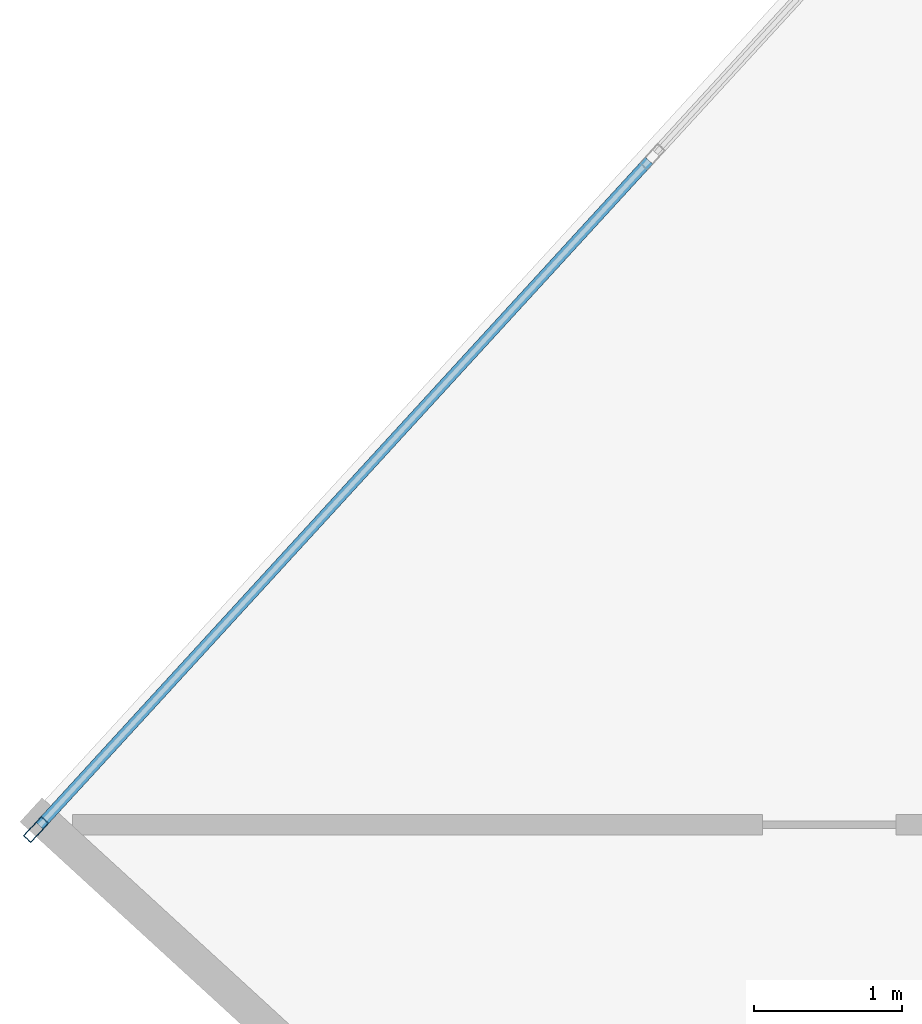
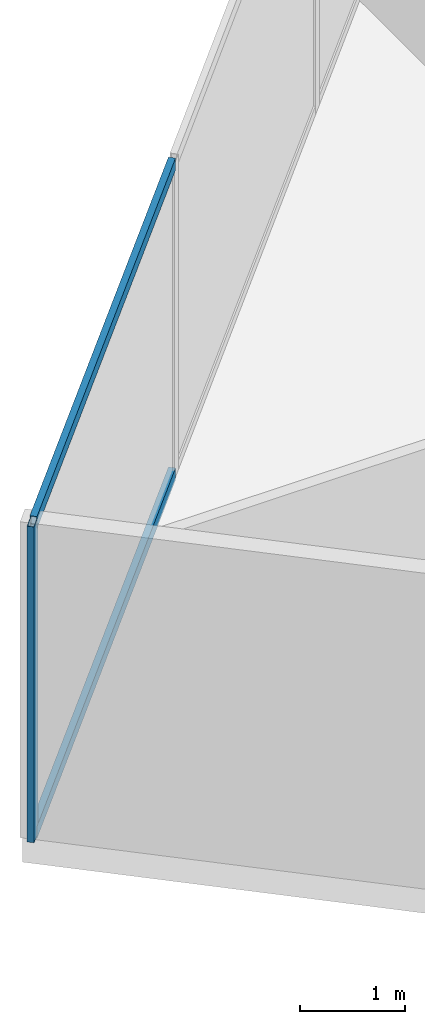
# One storey, part 8 of 26: 3 members, 1 element without a shape of its own.
"""IFC4 building model written with IfcOpenShell, lengths in metres."""

import ifcopenshell
import ifcopenshell.guid

model = None  # the IFC model being written
_history = None  # IfcOwnerHistory: only IFC2X3 demands one
_inside = {}  # id of a spatial element -> (the spatial element, [elements in it])
_under = {}  # id of a project, library or spatial element -> (it, [spatial elements below it])
_declared = {}  # id of a project -> (the project, [libraries it declares])
_typed = {}  # id of a type object -> (the type object, [elements of that type])
_made_of = {}  # id of a material, layer set ... -> (it, [elements and type objects made of it])


def new_model(schema):
    """Start an empty IFC model of exactly this schema.

    Asked for "IFC4X3", IfcOpenShell would pick the latest addendum, in which some entities
    have other attributes; the version numbers below select the first issue.
    IFC2X3 requires an IfcOwnerHistory on every rooted entity: one is made here for all.
    """
    global model, _history
    if schema == "IFC4X3":
        model = ifcopenshell.file(schema_version=(4, 3, 0, 0))
    else:
        model = ifcopenshell.file(schema=schema)
    _inside.clear()
    _under.clear()
    _declared.clear()
    _typed.clear()
    _made_of.clear()
    _history = None
    if model.schema == "IFC2X3":
        org = make("IfcOrganization", Name="unknown")
        user = make(
            "IfcPersonAndOrganization",
            ThePerson=make("IfcPerson", FamilyName="unknown"),
            TheOrganization=org,
        )
        app = make(
            "IfcApplication",
            ApplicationDeveloper=org,
            Version="unknown",
            ApplicationFullName="unknown",
            ApplicationIdentifier="unknown",
        )
        _history = make(
            "IfcOwnerHistory",
            OwningUser=user,
            OwningApplication=app,
            ChangeAction="ADDED",
            CreationDate=0,
        )
    return model


def make(cls, **values):
    """One entity of the class cls with the attributes given. An attribute that is None is left unset."""
    return model.create_entity(
        cls, **{name: value for name, value in values.items() if value is not None}
    )


def rooted(cls, **values):
    """An entity with a GlobalId (a new one), such as an element, a storey or a relation."""
    return make(cls, GlobalId=ifcopenshell.guid.new(), OwnerHistory=_history, **values)


def si_unit(unit_type, name, prefix=None):
    """IfcSIUnit, for example si_unit("LENGTHUNIT", "METRE", prefix="MILLI")."""
    return make("IfcSIUnit", UnitType=unit_type, Prefix=prefix, Name=name)


def assignment(units):
    """IfcUnitAssignment: the units of a project."""
    return None if units is None else make("IfcUnitAssignment", Units=units)


def point(xyz):
    """IfcCartesianPoint."""
    return None if xyz is None else make("IfcCartesianPoint", Coordinates=xyz)


def direction(xyz):
    """IfcDirection."""
    return None if xyz is None else make("IfcDirection", DirectionRatios=xyz)


def frame(location, z_axis=None, x_axis=None):
    """IfcAxis2Placement3D, a coordinate frame: its origin and axes. An axis left out is left unset."""
    return make(
        "IfcAxis2Placement3D",
        Location=point(location),
        Axis=direction(z_axis),
        RefDirection=direction(x_axis),
    )


def frame_2d(location, x_axis=None):
    """IfcAxis2Placement2D, a coordinate frame in the plane: its origin and x axis."""
    return make(
        "IfcAxis2Placement2D", Location=point(location), RefDirection=direction(x_axis)
    )


def origin():
    """The frame at (0, 0, 0) with its axes left unset."""
    return frame((0.0, 0.0, 0.0))


def origin_2d():
    """The frame at (0, 0) in the plane with its x axis left unset."""
    return frame_2d((0.0, 0.0))


def place(relative_to, where):
    """IfcLocalPlacement: puts the frame where relative to a parent placement (None: the world)."""
    return make(
        "IfcLocalPlacement", PlacementRelTo=relative_to, RelativePlacement=where
    )


def context(
    kind, dimensions, precision=None, world=None, true_north=None, identifier=None
):
    """IfcGeometricRepresentationContext, for example the 3D "Model" context."""
    return make(
        "IfcGeometricRepresentationContext",
        ContextIdentifier=identifier,
        ContextType=kind,
        CoordinateSpaceDimension=dimensions,
        Precision=precision,
        WorldCoordinateSystem=world,
        TrueNorth=true_north,
    )


def subcontext(parent, identifier, kind, view, scale=None):
    """IfcGeometricRepresentationSubContext, for example "Body" below "Model"."""
    return make(
        "IfcGeometricRepresentationSubContext",
        ContextIdentifier=identifier,
        ContextType=kind,
        ParentContext=parent,
        TargetScale=scale,
        TargetView=view,
    )


def project(units=None, contexts=None):
    """IfcProject with its units and contexts."""
    return rooted(
        "IfcProject",
        Name="project",
        RepresentationContexts=contexts,
        UnitsInContext=assignment(units),
    )


def spatial(cls, under=None, at=None, **own):
    """A site, building, storey or space (cls), placed at a placement, below another one or the project."""
    s = rooted(cls, ObjectPlacement=at, **own)
    if under is not None:
        _under.setdefault(under.id(), (under, []))[1].append(s)
    return s


def profile(cls, at=None, kind="AREA", **sizes):
    """A parametric profile (cls). Its sizes go by their IFC names, for example OverallWidth=200.0."""
    return make(cls, ProfileType=kind, Position=at, **sizes)


def hollow_rectangle(**sizes):
    """IfcRectangleHollowProfileDef."""
    return profile("IfcRectangleHollowProfileDef", **sizes)


def extrude(swept, where, along, depth):
    """IfcExtrudedAreaSolid: the profile swept, set in the frame where, extruded along a direction by depth."""
    return make(
        "IfcExtrudedAreaSolid",
        SweptArea=swept,
        Position=where,
        ExtrudedDirection=direction(along),
        Depth=depth,
    )


def shape(context_of_items, identifier, shape_type, items):
    """IfcShapeRepresentation: the items that make up one representation, for example the "Body"."""
    return make(
        "IfcShapeRepresentation",
        ContextOfItems=context_of_items,
        RepresentationIdentifier=identifier,
        RepresentationType=shape_type,
        Items=items,
    )


def source(mapping_origin, context_of_items, identifier, shape_type, items):
    """IfcRepresentationMap: a shape defined once, which mapped items show again and again."""
    return make(
        "IfcRepresentationMap",
        MappingOrigin=mapping_origin,
        MappedRepresentation=shape(context_of_items, identifier, shape_type, items),
    )


def transform(
    local_origin,
    x_axis=None,
    y_axis=None,
    z_axis=None,
    scale=None,
    scale2=None,
    scale3=None,
    uniform=True,
):
    """IfcCartesianTransformationOperator3D, or its non-uniform kind. x_axis, y_axis, z_axis: its Axis1, 2, 3."""
    if uniform:
        return make(
            "IfcCartesianTransformationOperator3D",
            Axis1=direction(x_axis),
            Axis2=direction(y_axis),
            LocalOrigin=point(local_origin),
            Scale=scale,
            Axis3=direction(z_axis),
        )
    return make(
        "IfcCartesianTransformationOperator3DnonUniform",
        Axis1=direction(x_axis),
        Axis2=direction(y_axis),
        LocalOrigin=point(local_origin),
        Scale=scale,
        Axis3=direction(z_axis),
        Scale2=scale2,
        Scale3=scale3,
    )


def mapped(mapping_source, mapping_target):
    """IfcMappedItem: shows the shape of a source again, moved by a transform."""
    return make(
        "IfcMappedItem", MappingSource=mapping_source, MappingTarget=mapping_target
    )


def material(Name=None, Category=None):
    """IfcMaterial."""
    return make("IfcMaterial", Name=Name, Category=Category)


def material_profile(
    of_material, cross_section, Name=None, Category=None, Priority=None
):
    """IfcMaterialProfile: a cross section and its material."""
    return make(
        "IfcMaterialProfile",
        Name=Name,
        Material=of_material,
        Profile=cross_section,
        Priority=Priority,
        Category=Category,
    )


def profile_set(profiles, Name=None, composite=None):
    """IfcMaterialProfileSet."""
    return make(
        "IfcMaterialProfileSet",
        Name=Name,
        MaterialProfiles=profiles,
        CompositeProfile=composite,
    )


def made_of(thing, what):
    """Note that an element or type object is made of a material, layer set ...; save() writes the relation."""
    if what is not None:
        _made_of.setdefault(what.id(), (what, []))[1].append(thing)
    return thing


def type_object(cls, material=None, **own):
    """A type object (cls), such as IfcWallType, which elements share."""
    return made_of(rooted(cls, **own), material)


def type_shapes(of_type, sources):
    """Give a type object the sources (RepresentationMaps) that its elements show as mapped items."""
    of_type.RepresentationMaps = sources


def element(
    cls,
    number,
    at=None,
    inside=None,
    cuts=None,
    type_object=None,
    material=None,
    context=None,
    identifier="Body",
    shape_type=None,
    held_by="IfcProductDefinitionShape",
    body=None,
    shapes=None,
    **own,
):
    """One element of the class cls, such as IfcWall. Its Tag is "e" and its number.

    at: its placement. inside: the storey or other place that contains it. cuts: it is an
    opening in that element (IfcRelVoidsElement). A single representation is given by context,
    identifier, shape_type and body (its items); several are given by shapes. held_by: the class
    of the entity that holds the representations. save() writes the other relations.
    """
    e = rooted(cls, Tag="e%d" % number, ObjectPlacement=at, **own)
    if body is not None:
        shapes = [shape(context, identifier, shape_type, body)]
    if shapes is not None:
        e.Representation = make(held_by, Representations=shapes)
    if inside is not None:
        _inside.setdefault(inside.id(), (inside, []))[1].append(e)
    if cuts is not None:
        rooted(
            "IfcRelVoidsElement", RelatingBuildingElement=cuts, RelatedOpeningElement=e
        )
    if type_object is not None:
        _typed.setdefault(type_object.id(), (type_object, []))[1].append(e)
    return made_of(e, material)


def aggregate(whole, parts):
    """IfcRelAggregates: a whole, such as a stair, and the parts it consists of."""
    return rooted("IfcRelAggregates", RelatingObject=whole, RelatedObjects=parts)


def save(model, path):
    """Write the relations noted so far, then the file.

    IfcRelAggregates (storeys below a building ...), IfcRelContainedInSpatialStructure (elements
    in a storey), IfcRelDefinesByType, IfcRelAssociatesMaterial and IfcRelDeclares: one each for
    every whole, place, type object, material and project.
    """
    for whole, parts in _under.values():
        aggregate(whole, parts)
    for where, things in _inside.values():
        rooted(
            "IfcRelContainedInSpatialStructure",
            RelatedElements=things,
            RelatingStructure=where,
        )
    for kind, things in _typed.values():
        rooted("IfcRelDefinesByType", RelatedObjects=things, RelatingType=kind)
    for what, things in _made_of.values():
        rooted("IfcRelAssociatesMaterial", RelatedObjects=things, RelatingMaterial=what)
    for by, libraries in _declared.values():
        rooted("IfcRelDeclares", RelatingContext=by, RelatedDefinitions=libraries)
    model.write(path)


model = new_model("IFC4")

# Units and contexts
model_context = context("Model", 3, precision=1e-05, world=origin(), true_north=direction((0.0, 1.0)))
body_context = subcontext(model_context, "Body", "Model", "MODEL_VIEW")
ifc_project = project(units=[si_unit("LENGTHUNIT", "METRE"), si_unit("AREAUNIT", "SQUARE_METRE"), si_unit("VOLUMEUNIT", "CUBIC_METRE"), si_unit("PLANEANGLEUNIT", "RADIAN"), si_unit("MASSUNIT", "GRAM", prefix="KILO")], contexts=[model_context])

# Site, building, storey
site_placement = place(None, origin())
site = spatial("IfcSite", under=ifc_project, at=site_placement, CompositionType="ELEMENT")
building_placement = place(site_placement, origin())
building = spatial("IfcBuilding", under=site, at=building_placement, Name="Krantzveldt Concourse Tower", CompositionType="ELEMENT")
storey_placement = place(building_placement, frame((0.0, 0.0, 227.050048828125)))
storey = spatial("IfcBuildingStorey", under=building, at=storey_placement, Name="L55", CompositionType="ELEMENT", Elevation=227.050048828125)

# Curtain wall, members
ifc_material = material(Name="Anodised aluminium 6063-T6", Category="aluminium")
curtain_wall_type = type_object("IfcCurtainWallType", Name="CW3", PredefinedType="USERDEFINED", material=ifc_material)
curtain_wall_placement = place(storey_placement, origin())
curtain_wall = element("IfcCurtainWall", 1, at=curtain_wall_placement, inside=storey, type_object=curtain_wall_type, Name="CW-L55-F01", ObjectType="UNITISED CURTAIN WALL", PredefinedType="USERDEFINED")
ifc_material_profile_1 = material_profile(ifc_material, hollow_rectangle(XDim=0.070068359375, YDim=0.179931640625, WallThickness=0.0048828125, at=origin_2d()), Name="Anodised aluminium 6063-T6", Category="aluminium")
ifc_profile_set_1 = profile_set([ifc_material_profile_1], Name="Anodised aluminium 6063-T6 - ALU-MULL 180x70x5")
member_type_1 = type_object("IfcMemberType", Name="CW-MUL-180", PredefinedType="MULLION", material=ifc_profile_set_1)
shared_shape_1 = source(origin(), body_context, "Body", "SweptSolid", [
    extrude(hollow_rectangle(XDim=0.070068359375, YDim=0.179931640625, WallThickness=0.0048828125, at=origin_2d()), origin(), (0.0, 0.0, 1.0), 3.669921875),
])
type_shapes(member_type_1, [shared_shape_1])
member_1_placement = place(storey_placement, frame((10.504150390625, 29.0869140625, 0.0), z_axis=(0.0, 0.0, 1.0), x_axis=(0.737277477893, -0.675590053651, 0.0)))
member_1 = element("IfcMember", 2, at=member_1_placement, type_object=member_type_1, Name="CW-Z34 mullion 6", PredefinedType="MULLION", context=body_context, shape_type="MappedRepresentation", body=[
    mapped(shared_shape_1, transform((0.0, 0.0, 0.0), x_axis=(1.0, 0.0, 0.0), y_axis=(0.0, 1.0, 0.0), z_axis=(0.0, 0.0, 1.0), scale=1.0)),
])
ifc_material_profile_2 = material_profile(ifc_material, hollow_rectangle(XDim=0.070068359375, YDim=0.139892578125, WallThickness=0.0048828125, at=origin_2d()), Name="Anodised aluminium 6063-T6", Category="aluminium")
ifc_profile_set_2 = profile_set([ifc_material_profile_2], Name="Anodised aluminium 6063-T6 - ALU-TRAN 140x70x5")
member_type_2 = type_object("IfcMemberType", Name="CW-TRN-150", PredefinedType="USERDEFINED", material=ifc_profile_set_2)
shared_shape_2 = source(origin(), body_context, "Body", "SweptSolid", [
    extrude(hollow_rectangle(XDim=0.070068359375, YDim=0.139892578125, WallThickness=0.0048828125, at=origin_2d()), origin(), (0.0, 0.0, 1.0), 6.094970703125),
])
type_shapes(member_type_2, [shared_shape_2])
member_2_placement = place(storey_placement, frame((14.6455078125, 33.606201171875, 0.034912109375), z_axis=(-0.675590390755, -0.737277168993, 0.0), x_axis=(0.737277168993, -0.675590390755, 0.0)))
member_2 = element("IfcMember", 3, at=member_2_placement, type_object=member_type_2, Name="CW-Z34 transom 5.1", ObjectType="TRANSOM", PredefinedType="USERDEFINED", context=body_context, shape_type="MappedRepresentation", body=[
    mapped(shared_shape_2, transform((0.0, 0.0, 0.0), x_axis=(1.0, 0.0, 0.0), y_axis=(0.0, 1.0, 0.0), z_axis=(0.0, 0.0, 1.0), scale=1.0)),
])
member_3_placement = place(storey_placement, frame((14.6455078125, 33.606201171875, 3.635009765625), z_axis=(-0.675590390755, -0.737277168993, 0.0), x_axis=(0.737277168993, -0.675590390755, 0.0)))
member_3 = element("IfcMember", 4, at=member_3_placement, type_object=member_type_2, Name="CW-Z34 transom 5.2", ObjectType="TRANSOM", PredefinedType="USERDEFINED", context=body_context, shape_type="MappedRepresentation", body=[
    mapped(shared_shape_2, transform((0.0, 0.0, 0.0), x_axis=(1.0, 0.0, 0.0), y_axis=(0.0, 1.0, 0.0), z_axis=(0.0, 0.0, 1.0), scale=1.0)),
])
aggregate(curtain_wall, [member_1, member_2, member_3])

save(model, "model.ifc")
